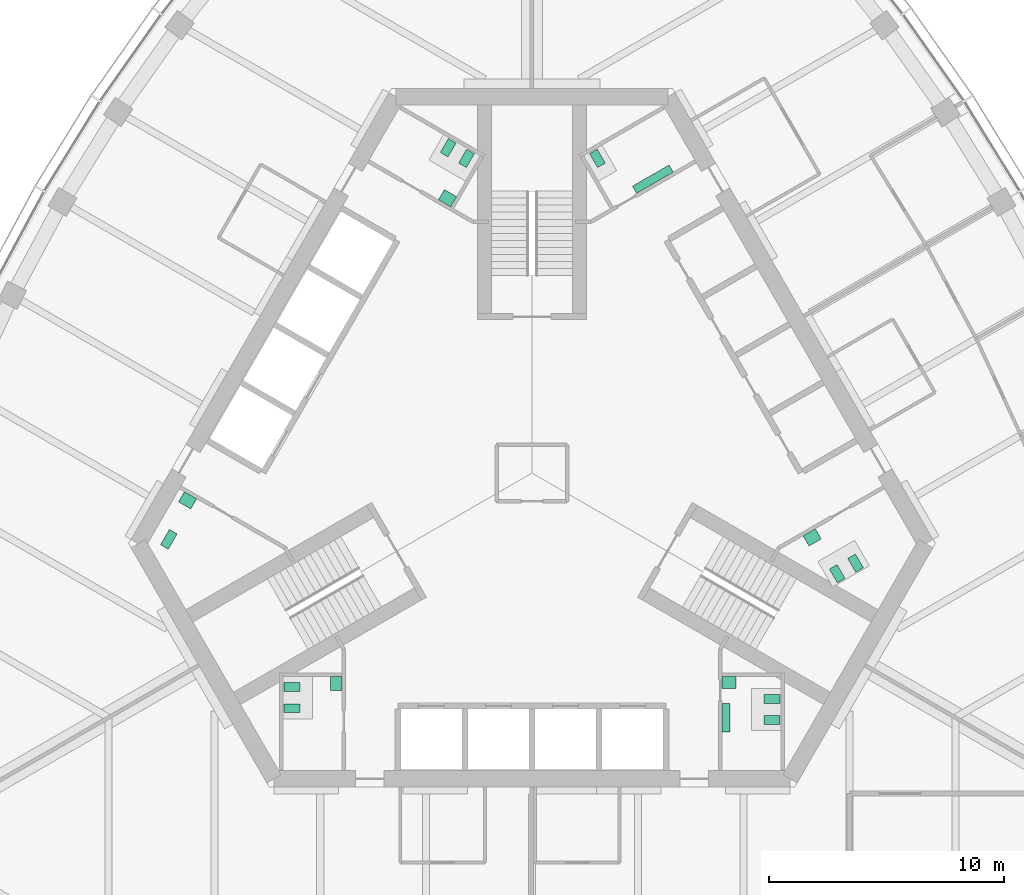
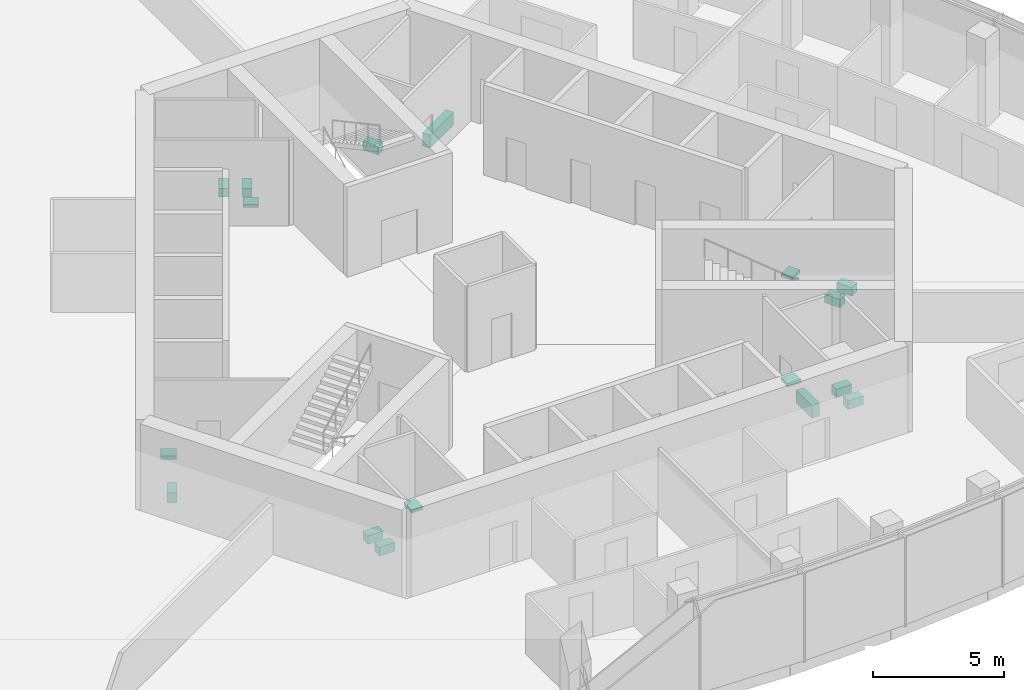
# One storey, part 15 of 16: 17 sanitary terminals.
"""IFC4 building model written with IfcOpenShell, lengths in metres."""

from ifc_helpers import new_model, si_unit, direction, frame, origin, place, context, subcontext, project, spatial, polyline, outline, extrude, material, type_object, element, save


model = new_model("IFC4")

# Units and contexts
model_context = context("Model", 3, precision=1e-05, world=origin(), true_north=direction((0.0, 1.0)))
body_context = subcontext(model_context, "Body", "Model", "MODEL_VIEW")
ifc_project = project(units=[si_unit("LENGTHUNIT", "METRE"), si_unit("AREAUNIT", "SQUARE_METRE"), si_unit("VOLUMEUNIT", "CUBIC_METRE"), si_unit("PLANEANGLEUNIT", "RADIAN"), si_unit("MASSUNIT", "GRAM", prefix="KILO")], contexts=[model_context])

# Site, building, storey
site_placement = place(None, origin())
site = spatial("IfcSite", under=ifc_project, at=site_placement, CompositionType="ELEMENT")
building_placement = place(site_placement, origin())
building = spatial("IfcBuilding", under=site, at=building_placement, Name="Trefoil Bronze Tower", CompositionType="ELEMENT")
storey_placement = place(building_placement, frame((0.0, 0.0, 297.300048828125)))
storey = spatial("IfcBuildingStorey", under=building, at=storey_placement, Name="L68", CompositionType="ELEMENT", Elevation=297.300048828125)

# Sanitary terminals
ifc_material_1 = material(Name="Vitreous china", Category="ceramic")
sanitary_terminal_type_1 = type_object("IfcSanitaryTerminalType", Name="Accessible WC pan", PredefinedType="TOILETPAN", material=ifc_material_1)
sanitary_terminal_1_placement = place(storey_placement, origin())
element("IfcSanitaryTerminal", 1, at=sanitary_terminal_1_placement, inside=storey, type_object=sanitary_terminal_type_1, Name="WC pan 1 Accessible WC L68", PredefinedType="TOILETPAN", context=body_context, shape_type="SweptSolid", body=[
    extrude(outline(polyline([(-15.085693359375, -2.589111328125), (-15.460693359375, -3.238525390625), (-15.789794921875, -3.048583984375), (-15.414794921875, -2.399169921875), (-15.085693359375, -2.589111328125)])), origin(), (0.0, 0.0, 1.0), 0.449951171875),
])
ifc_material_2 = material(Name="Vitreous china", Category="ceramic")
sanitary_terminal_type_2 = type_object("IfcSanitaryTerminalType", Name="Accessible basin", PredefinedType="WASHHANDBASIN", material=ifc_material_2)
sanitary_terminal_2_placement = place(storey_placement, frame((0.0, 0.0, 0.64990234375)))
element("IfcSanitaryTerminal", 2, at=sanitary_terminal_2_placement, inside=storey, type_object=sanitary_terminal_type_2, Name="Wash basin Accessible WC L68", PredefinedType="WASHHANDBASIN", context=body_context, shape_type="SweptSolid", body=[
    extrude(outline(polyline([(-14.256591796875, -1.09326171875), (-14.506591796875, -1.526123046875), (-15.026123046875, -1.22607421875), (-14.776123046875, -0.793212890625), (-14.256591796875, -1.09326171875)])), origin(), (0.0, 0.0, 1.0), 0.150146484375),
])
ifc_material_3 = material(Name="Vitreous china", Category="ceramic")
sanitary_terminal_type_3 = type_object("IfcSanitaryTerminalType", Name="Urinal range 2 urinals", PredefinedType="URINAL", material=ifc_material_3)
sanitary_terminal_3_placement = place(storey_placement, frame((0.0, 0.0, 0.39990234375)))
element("IfcSanitaryTerminal", 3, at=sanitary_terminal_3_placement, inside=storey, type_object=sanitary_terminal_type_3, Name="Urinal range WC (men) L68", PredefinedType="URINAL", context=body_context, shape_type="SweptSolid", body=[
    extrude(outline(polyline([(8.074951171875, -9.800048828125), (8.425048828125, -9.800048828125), (8.425048828125, -11.0), (8.074951171875, -11.0), (8.074951171875, -9.800048828125)])), origin(), (0.0, 0.0, 1.0), 0.60009765625),
])
ifc_material_4 = material(Name="Vitreous china", Category="ceramic")
sanitary_terminal_type_4 = type_object("IfcSanitaryTerminalType", Name="Urinal range 3 urinals", PredefinedType="URINAL", material=ifc_material_4)
sanitary_terminal_4_placement = place(storey_placement, frame((0.0, 0.0, 0.39990234375)))
element("IfcSanitaryTerminal", 4, at=sanitary_terminal_4_placement, inside=storey, type_object=sanitary_terminal_type_4, Name="Urinal range WC (men) L68", PredefinedType="URINAL", context=body_context, shape_type="SweptSolid", body=[
    extrude(outline(polyline([(4.449462890625, 11.89306640625), (4.274658203125, 12.1962890625), (5.83349609375, 13.09619140625), (6.00830078125, 12.793212890625), (4.449462890625, 11.89306640625)])), origin(), (0.0, 0.0, 1.0), 0.60009765625),
])
ifc_material_5 = material(Name="Solid surface vanity", Category="plastic")
sanitary_terminal_type_5 = type_object("IfcSanitaryTerminalType", Name="Vanity unit 1 basins", PredefinedType="WASHHANDBASIN", material=ifc_material_5)
sanitary_terminal_5_placement = place(storey_placement, frame((0.0, 0.0, 0.75)))
element("IfcSanitaryTerminal", 5, at=sanitary_terminal_5_placement, inside=storey, type_object=sanitary_terminal_type_5, Name="Vanity unit WC (men) L68", PredefinedType="WASHHANDBASIN", context=body_context, shape_type="SweptSolid", body=[
    extrude(outline(polyline([(8.074951171875, -8.64990234375), (8.675048828125, -8.64990234375), (8.675048828125, -9.14990234375), (8.074951171875, -9.14990234375), (8.074951171875, -8.64990234375)])), origin(), (0.0, 0.0, 1.0), 0.14990234375),
])
sanitary_terminal_6_placement = place(storey_placement, frame((0.0, 0.0, 0.75)))
element("IfcSanitaryTerminal", 6, at=sanitary_terminal_6_placement, inside=storey, type_object=sanitary_terminal_type_5, Name="Vanity unit WC (women) L68", PredefinedType="WASHHANDBASIN", context=body_context, shape_type="SweptSolid", body=[
    extrude(outline(polyline([(11.528564453125, -2.668212890625), (11.778564453125, -3.10107421875), (12.29833984375, -2.80126953125), (12.04833984375, -2.3681640625), (11.528564453125, -2.668212890625)])), origin(), (0.0, 0.0, 1.0), 0.14990234375),
])
sanitary_terminal_7_placement = place(storey_placement, frame((0.0, 0.0, 0.75)))
element("IfcSanitaryTerminal", 7, at=sanitary_terminal_7_placement, inside=storey, type_object=sanitary_terminal_type_5, Name="Vanity unit WC (women) L68", PredefinedType="WASHHANDBASIN", context=body_context, shape_type="SweptSolid", body=[
    extrude(outline(polyline([(-3.45361328125, 11.318115234375), (-3.20361328125, 11.751220703125), (-3.72314453125, 12.05126953125), (-3.97314453125, 11.6181640625), (-3.45361328125, 11.318115234375)])), origin(), (0.0, 0.0, 1.0), 0.14990234375),
])
sanitary_terminal_8_placement = place(storey_placement, frame((0.0, 0.0, 0.75)))
element("IfcSanitaryTerminal", 8, at=sanitary_terminal_8_placement, inside=storey, type_object=sanitary_terminal_type_5, Name="Vanity unit WC (women) L68", PredefinedType="WASHHANDBASIN", context=body_context, shape_type="SweptSolid", body=[
    extrude(outline(polyline([(-8.074951171875, -8.64990234375), (-8.574951171875, -8.64990234375), (-8.574951171875, -9.25), (-8.074951171875, -9.25), (-8.074951171875, -8.64990234375)])), origin(), (0.0, 0.0, 1.0), 0.14990234375),
])
ifc_material_6 = material(Name="Vitreous china", Category="ceramic")
sanitary_terminal_type_6 = type_object("IfcSanitaryTerminalType", Name="WC pan", PredefinedType="TOILETPAN", material=ifc_material_6)
sanitary_terminal_9_placement = place(storey_placement, origin())
element("IfcSanitaryTerminal", 9, at=sanitary_terminal_9_placement, inside=storey, type_object=sanitary_terminal_type_6, Name="WC pan 1 WC (men) L68", PredefinedType="TOILETPAN", context=body_context, shape_type="SweptSolid", body=[
    extrude(outline(polyline([(9.85498046875, -9.409912109375), (10.534912109375, -9.409912109375), (10.534912109375, -9.7900390625), (9.85498046875, -9.7900390625), (9.85498046875, -9.409912109375)])), origin(), (0.0, 0.0, 1.0), 0.39990234375),
])
sanitary_terminal_10_placement = place(storey_placement, origin())
element("IfcSanitaryTerminal", 10, at=sanitary_terminal_10_placement, inside=storey, type_object=sanitary_terminal_type_6, Name="WC pan 2 WC (men) L68", PredefinedType="TOILETPAN", context=body_context, shape_type="SweptSolid", body=[
    extrude(outline(polyline([(9.85498046875, -10.31005859375), (10.534912109375, -10.31005859375), (10.534912109375, -10.68994140625), (9.85498046875, -10.68994140625), (9.85498046875, -10.31005859375)])), origin(), (0.0, 0.0, 1.0), 0.39990234375),
])
sanitary_terminal_11_placement = place(storey_placement, origin())
element("IfcSanitaryTerminal", 11, at=sanitary_terminal_11_placement, inside=storey, type_object=sanitary_terminal_type_6, Name="WC pan 1 WC (women) L68", PredefinedType="TOILETPAN", context=body_context, shape_type="SweptSolid", body=[
    extrude(outline(polyline([(12.643798828125, -4.07958984375), (12.98388671875, -4.66845703125), (13.31298828125, -4.478515625), (12.972900390625, -3.8896484375), (12.643798828125, -4.07958984375)])), origin(), (0.0, 0.0, 1.0), 0.39990234375),
])
sanitary_terminal_12_placement = place(storey_placement, origin())
element("IfcSanitaryTerminal", 12, at=sanitary_terminal_12_placement, inside=storey, type_object=sanitary_terminal_type_6, Name="WC pan 2 WC (women) L68", PredefinedType="TOILETPAN", context=body_context, shape_type="SweptSolid", body=[
    extrude(outline(polyline([(13.423095703125, -3.629638671875), (13.76318359375, -4.218505859375), (14.09228515625, -4.028564453125), (13.752197265625, -3.439697265625), (13.423095703125, -3.629638671875)])), origin(), (0.0, 0.0, 1.0), 0.39990234375),
])
sanitary_terminal_13_placement = place(storey_placement, origin())
element("IfcSanitaryTerminal", 13, at=sanitary_terminal_13_placement, inside=storey, type_object=sanitary_terminal_type_6, Name="WC pan 1 WC (men) L68", PredefinedType="TOILETPAN", context=body_context, shape_type="SweptSolid", body=[
    extrude(outline(polyline([(2.788818359375, 12.98974609375), (2.44873046875, 13.57861328125), (2.77783203125, 13.7685546875), (3.117919921875, 13.1796875), (2.788818359375, 12.98974609375)])), origin(), (0.0, 0.0, 1.0), 0.39990234375),
])
sanitary_terminal_14_placement = place(storey_placement, origin())
element("IfcSanitaryTerminal", 14, at=sanitary_terminal_14_placement, inside=storey, type_object=sanitary_terminal_type_6, Name="WC pan 1 WC (women) L68", PredefinedType="TOILETPAN", context=body_context, shape_type="SweptSolid", body=[
    extrude(outline(polyline([(-2.788818359375, 12.98974609375), (-2.44873046875, 13.57861328125), (-2.77783203125, 13.7685546875), (-3.117919921875, 13.1796875), (-2.788818359375, 12.98974609375)])), origin(), (0.0, 0.0, 1.0), 0.39990234375),
])
sanitary_terminal_15_placement = place(storey_placement, origin())
element("IfcSanitaryTerminal", 15, at=sanitary_terminal_15_placement, inside=storey, type_object=sanitary_terminal_type_6, Name="WC pan 2 WC (women) L68", PredefinedType="TOILETPAN", context=body_context, shape_type="SweptSolid", body=[
    extrude(outline(polyline([(-3.568115234375, 13.439697265625), (-3.228271484375, 14.028564453125), (-3.557373046875, 14.218505859375), (-3.897216796875, 13.629638671875), (-3.568115234375, 13.439697265625)])), origin(), (0.0, 0.0, 1.0), 0.39990234375),
])
sanitary_terminal_16_placement = place(storey_placement, origin())
element("IfcSanitaryTerminal", 16, at=sanitary_terminal_16_placement, inside=storey, type_object=sanitary_terminal_type_6, Name="WC pan 1 WC (women) L68", PredefinedType="TOILETPAN", context=body_context, shape_type="SweptSolid", body=[
    extrude(outline(polyline([(-9.85498046875, -8.909912109375), (-10.534912109375, -8.909912109375), (-10.534912109375, -9.2900390625), (-9.85498046875, -9.2900390625), (-9.85498046875, -8.909912109375)])), origin(), (0.0, 0.0, 1.0), 0.39990234375),
])
sanitary_terminal_17_placement = place(storey_placement, origin())
element("IfcSanitaryTerminal", 17, at=sanitary_terminal_17_placement, inside=storey, type_object=sanitary_terminal_type_6, Name="WC pan 2 WC (women) L68", PredefinedType="TOILETPAN", context=body_context, shape_type="SweptSolid", body=[
    extrude(outline(polyline([(-9.85498046875, -9.81005859375), (-10.534912109375, -9.81005859375), (-10.534912109375, -10.18994140625), (-9.85498046875, -10.18994140625), (-9.85498046875, -9.81005859375)])), origin(), (0.0, 0.0, 1.0), 0.39990234375),
])

save(model, "model.ifc")
